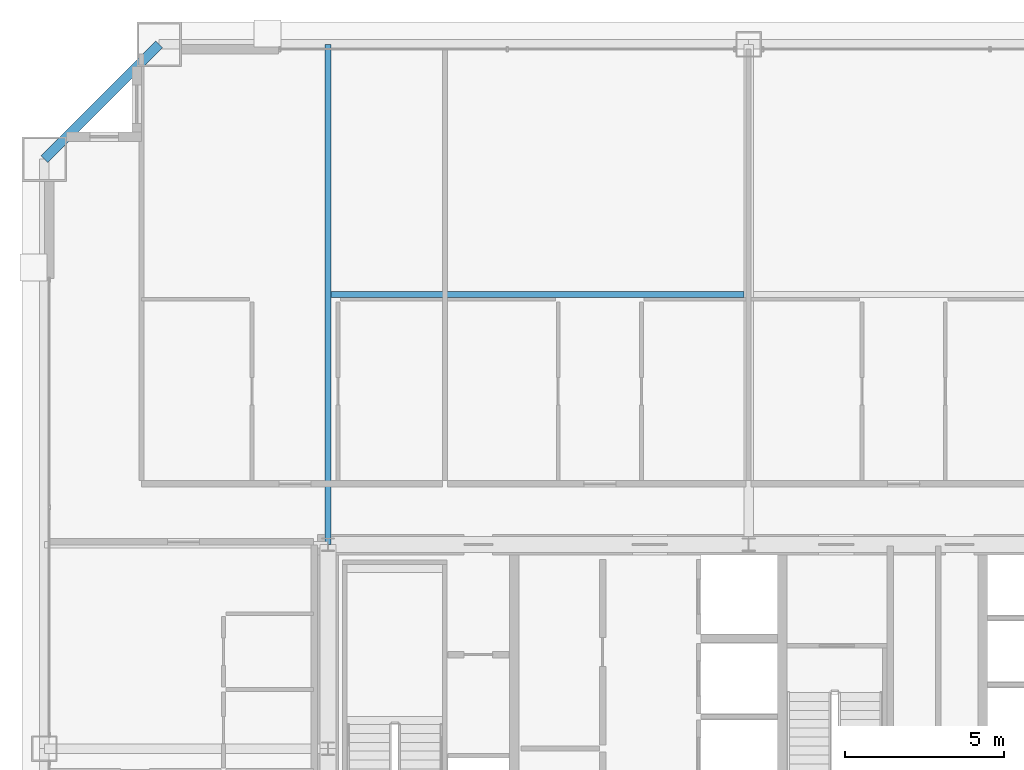
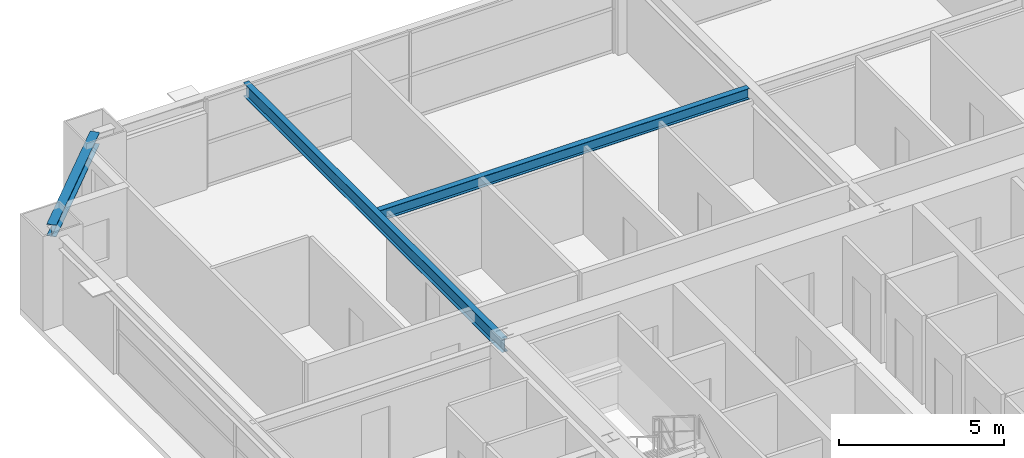
# One storey, part 24 of 38: 3 beams.
"""IFC4 building model written with IfcOpenShell, lengths in metres."""

from ifc_helpers import new_model, si_unit, direction, frame, origin, origin_2d, place, context, subcontext, project, spatial, i_section, extrude, source, transform, mapped, material, material_profile, profile_set, type_object, element, save


model = new_model("IFC4")

# Units and contexts
model_context = context("Model", 3, precision=1e-05, world=origin(), true_north=direction((0.0, 1.0)))
body_context = subcontext(model_context, "Body", "Model", "MODEL_VIEW")
ifc_project = project(units=[si_unit("LENGTHUNIT", "METRE"), si_unit("AREAUNIT", "SQUARE_METRE"), si_unit("VOLUMEUNIT", "CUBIC_METRE"), si_unit("PLANEANGLEUNIT", "RADIAN"), si_unit("MASSUNIT", "GRAM", prefix="KILO"), si_unit("THERMODYNAMICTEMPERATUREUNIT", "KELVIN"), si_unit("POWERUNIT", "WATT")], contexts=[model_context])

# Site, building, storey
site_placement = place(None, origin())
site = spatial("IfcSite", under=ifc_project, at=site_placement, CompositionType="ELEMENT")
building_placement = place(site_placement, origin())
building = spatial("IfcBuilding", under=site, at=building_placement, Name="Yuzanri Waterfront Tower", CompositionType="ELEMENT")
storey_placement = place(building_placement, frame((0.0, 0.0, 188.0)))
storey = spatial("IfcBuildingStorey", under=building, at=storey_placement, Name="L49", CompositionType="ELEMENT", Elevation=188.0)

# Beams
ifc_material_1 = material(Name="Steel Q355B", Category="steel")
ifc_material_profile_1 = material_profile(ifc_material_1, i_section(OverallWidth=0.199951171875, OverallDepth=0.39990234375, WebThickness=0.008056640625, FlangeThickness=0.012939453125, at=origin_2d()), Name="HN 400x200x8x13")
ifc_profile_set_1 = profile_set([ifc_material_profile_1], Name="Steel Q355B")
beam_type_1 = type_object("IfcBeamType", Name="Floor Joist Q355B HN 400x200", PredefinedType="JOIST", material=ifc_profile_set_1)
shared_shape_1 = source(origin(), body_context, "Body", "SweptSolid", [
    extrude(i_section(OverallWidth=0.199951171875, OverallDepth=0.39990234375, WebThickness=0.008056640625, FlangeThickness=0.012939453125, at=origin_2d()), origin(), (0.0, 0.0, 1.0), 12.9501953125),
])
beam_1_placement = place(storey_placement, frame((23.89990234375, 40.050048828125, 3.080078125), z_axis=(1.0, 0.0, 0.0), x_axis=(0.0, 1.0, 0.0)))
element("IfcBeam", 1, at=beam_1_placement, inside=storey, type_object=beam_type_1, Name="L49 North Bay Joist W", PredefinedType="JOIST", context=body_context, shape_type="MappedRepresentation", body=[
    mapped(shared_shape_1, transform((0.0, 0.0, 0.0), scale=1.0)),
])
ifc_material_2 = material(Name="Steel Q355B", Category="steel")
ifc_material_profile_2 = material_profile(ifc_material_2, i_section(OverallWidth=0.300048828125, OverallDepth=0.43994140625, WebThickness=0.010986328125, FlangeThickness=0.01806640625, at=origin_2d()), Name="HM 440x300x11x18")
ifc_profile_set_2 = profile_set([ifc_material_profile_2], Name="Steel Q355B")
beam_type_2 = type_object("IfcBeamType", Name="Perimeter Spandrel Q355B HM 440x300", PredefinedType="SPANDREL", material=ifc_profile_set_2)
shared_shape_2 = source(origin(), body_context, "Body", "SweptSolid", [
    extrude(i_section(OverallWidth=0.300048828125, OverallDepth=0.43994140625, WebThickness=0.010986328125, FlangeThickness=0.01806640625, at=origin_2d()), origin(), (0.0, 0.0, 1.0), 5.091064453125),
])
beam_2_placement = place(storey_placement, frame((18.5, 47.89990234375, 3.06005859375), z_axis=(-0.707130757816, -0.707082803744, 0.0), x_axis=(0.707082803744, -0.707130757816, 0.0)))
element("IfcBeam", 2, at=beam_2_placement, inside=storey, type_object=beam_type_2, Name="L49 Perimeter Spandrel N1-W3", PredefinedType="SPANDREL", context=body_context, shape_type="MappedRepresentation", body=[
    mapped(shared_shape_2, transform((0.0, 0.0, 0.0), scale=1.0)),
])
ifc_material_3 = material(Name="Steel Q355B", Category="steel")
ifc_material_profile_3 = material_profile(ifc_material_3, i_section(OverallWidth=0.199951171875, OverallDepth=0.5, WebThickness=0.010009765625, FlangeThickness=0.01611328125, at=origin_2d()), Name="HN 500x200x10x16")
ifc_profile_set_3 = profile_set([ifc_material_profile_3], Name="Steel Q355B")
beam_type_3 = type_object("IfcBeamType", Name="Secondary Floor Beam Q355B HN 500x200", PredefinedType="BEAM", material=ifc_profile_set_3)
shared_shape_3 = source(origin(), body_context, "Body", "SweptSolid", [
    extrude(i_section(OverallWidth=0.199951171875, OverallDepth=0.5, WebThickness=0.010009765625, FlangeThickness=0.01611328125, at=origin_2d()), origin(), (0.0, 0.0, 1.0), 15.699951171875),
])
beam_3_placement = place(storey_placement, frame((23.800048828125, 32.199951171875, 3.030029296875), z_axis=(0.0, 1.0, 0.0), x_axis=(-1.0, 0.0, 0.0)))
element("IfcBeam", 3, at=beam_3_placement, inside=storey, type_object=beam_type_3, Name="L49 North-West Core Line Beam", PredefinedType="BEAM", context=body_context, shape_type="MappedRepresentation", body=[
    mapped(shared_shape_3, transform((0.0, 0.0, 0.0), scale=1.0)),
])

save(model, "model.ifc")
